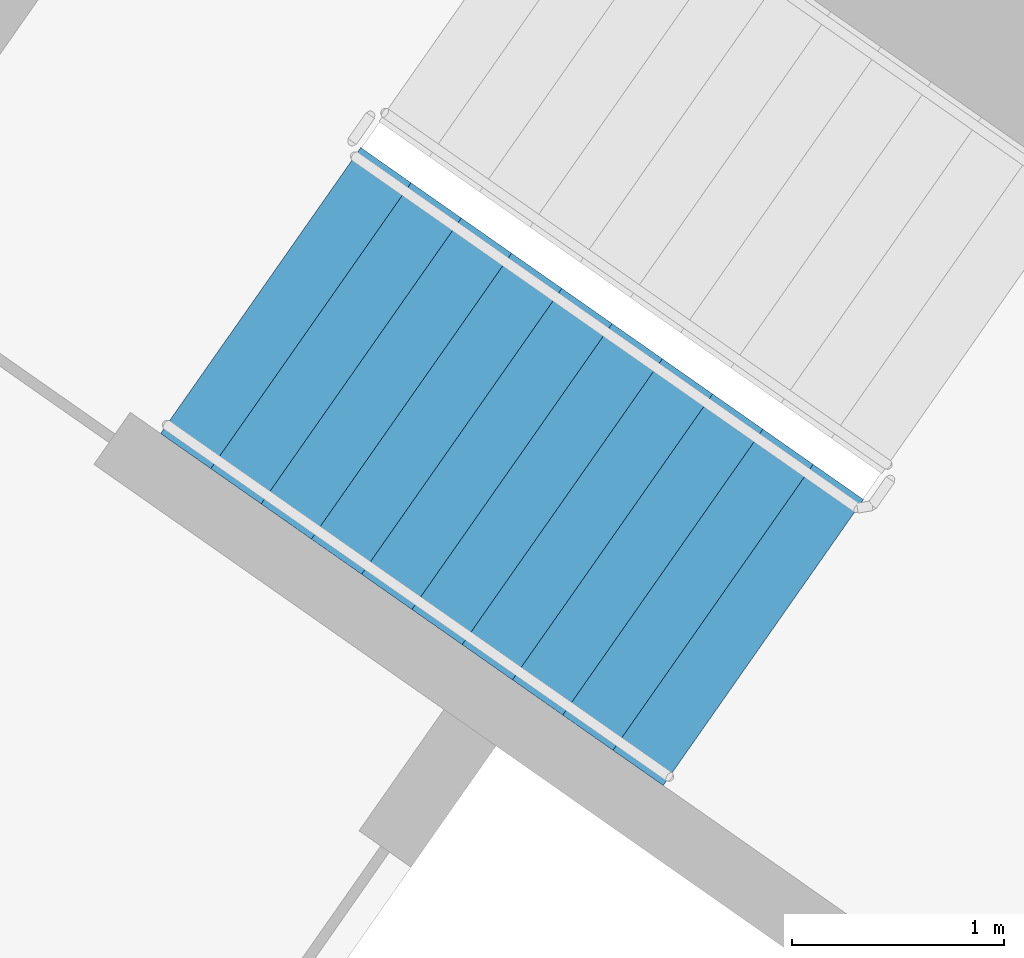
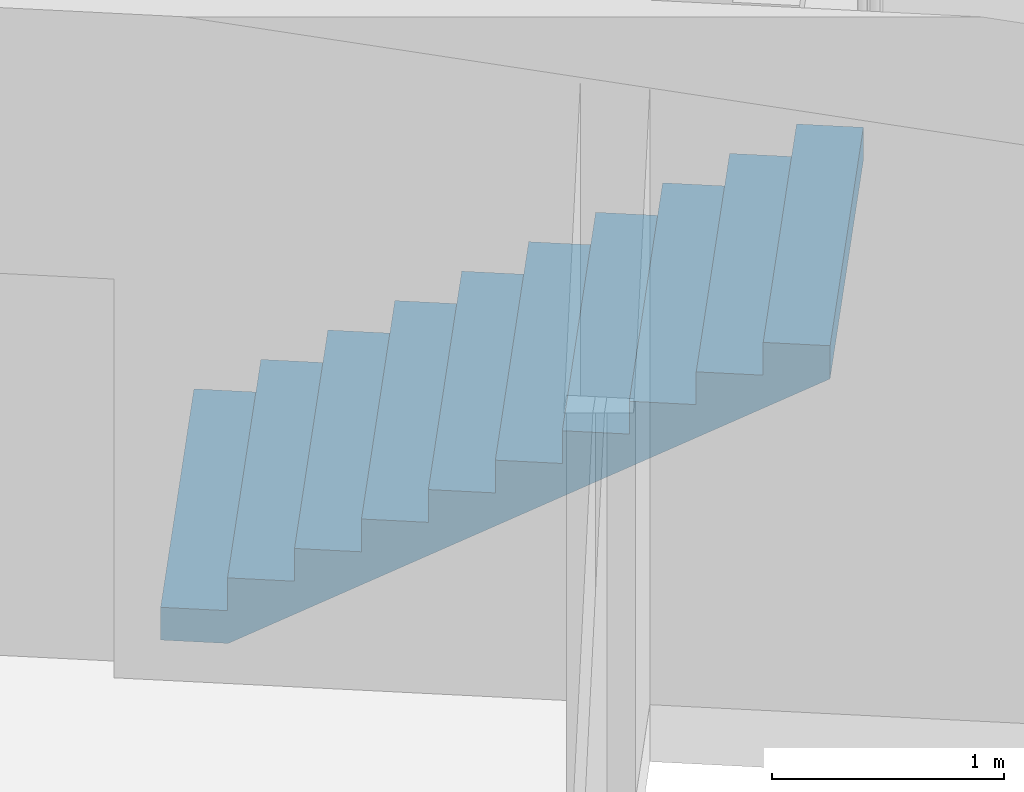
# One storey, part 11 of 27: 1 stair flight, 1 element without a shape of its own.
"""IFC4 building model written with IfcOpenShell, lengths in metres."""

from ifc_helpers import new_model, si_unit, direction, frame, origin, place, context, subcontext, project, spatial, faceted_brep, material, type_object, element, aggregate, save


model = new_model("IFC4")

# Units and contexts
model_context = context("Model", 3, precision=1e-05, world=origin(), true_north=direction((0.0, 1.0)))
body_context = subcontext(model_context, "Body", "Model", "MODEL_VIEW")
ifc_project = project(units=[si_unit("LENGTHUNIT", "METRE"), si_unit("AREAUNIT", "SQUARE_METRE"), si_unit("VOLUMEUNIT", "CUBIC_METRE"), si_unit("PLANEANGLEUNIT", "RADIAN"), si_unit("MASSUNIT", "GRAM", prefix="KILO")], contexts=[model_context])

# Site, building, storey
site_placement = place(None, origin())
site = spatial("IfcSite", under=ifc_project, at=site_placement, CompositionType="ELEMENT")
building_placement = place(site_placement, origin())
building = spatial("IfcBuilding", under=site, at=building_placement, Name="Qamariyya Broadcast Tower", CompositionType="ELEMENT")
storey_placement = place(building_placement, frame((0.0, 0.0, 164.5)))
storey = spatial("IfcBuildingStorey", under=building, at=storey_placement, Name="L38", CompositionType="ELEMENT", Elevation=164.5)

# Stair, stair flight
ifc_material = material(Name="Concrete C50/60", Category="concrete")
stair_type = type_object("IfcStairType", Name="Exit stair 22 risers of 173 mm", PredefinedType="HALF_TURN_STAIR", material=ifc_material)
stair_placement = place(storey_placement, origin())
stair = element("IfcStair", 1, at=stair_placement, inside=storey, type_object=stair_type, Name="L38 Stair W2", PredefinedType="HALF_TURN_STAIR")
stair_flight_type = type_object("IfcStairFlightType", Name="Exit stair flight 11 risers of 173 mm", PredefinedType="STRAIGHT", material=ifc_material)
stair_flight_placement = place(storey_placement, frame((-41.59130859375, -49.15966796875, 0.0), z_axis=(0.0, 0.0, 1.0), x_axis=(0.819152044289, -0.573576436351, 0.0)))
stair_flight = element("IfcStairFlight", 2, at=stair_flight_placement, type_object=stair_flight_type, Name="ST-W2 flight 1", NumberOfRisers=11, NumberOfTreads=10, PredefinedType="STRAIGHT", RiserHeight=0.172727273, TreadLength=0.29, context=body_context, shape_type="Brep", body=[
    faceted_brep([(0.0, 0.824951171875, 0.0), (0.0, 0.824951171875, 0.172607421875), (0.2900390625, 0.824951171875, 0.172607421875), (0.2900390625, 0.824951171875, 0.345458984375), (0.580078125, 0.824951171875, 0.345458984375), (0.580078125, 0.824951171875, 0.51806640625), (0.8701171875, 0.824951171875, 0.51806640625), (0.8701171875, 0.824951171875, 0.69091796875), (1.159912109375, 0.824951171875, 0.69091796875), (1.159912109375, 0.824951171875, 0.863525390625), (1.449951171875, 0.824951171875, 0.863525390625), (1.449951171875, 0.824951171875, 1.036376953125), (1.739990234375, 0.824951171875, 1.036376953125), (1.739990234375, 0.824951171875, 1.208984375), (2.030029296875, 0.824951171875, 1.208984375), (2.030029296875, 0.824951171875, 1.3818359375), (2.320068359375, 0.824951171875, 1.3818359375), (2.320068359375, 0.824951171875, 1.554443359375), (2.610107421875, 0.824951171875, 1.554443359375), (2.610107421875, 0.824951171875, 1.727294921875), (2.89990234375, 0.824951171875, 1.727294921875), (2.89990234375, 0.824951171875, 1.552734375), (0.29296875, 0.824951171875, 0.0), (0.29296875, -0.824951171875, 0.0), (2.89990234375, -0.824951171875, 1.552734375), (2.89990234375, -0.824951171875, 1.727294921875), (2.610107421875, -0.824951171875, 1.727294921875), (2.610107421875, -0.824951171875, 1.554443359375), (2.320068359375, -0.824951171875, 1.554443359375), (2.320068359375, -0.824951171875, 1.3818359375), (2.030029296875, -0.824951171875, 1.3818359375), (2.030029296875, -0.824951171875, 1.208984375), (1.739990234375, -0.824951171875, 1.208984375), (1.739990234375, -0.824951171875, 1.036376953125), (1.449951171875, -0.824951171875, 1.036376953125), (1.449951171875, -0.824951171875, 0.863525390625), (1.159912109375, -0.824951171875, 0.863525390625), (1.159912109375, -0.824951171875, 0.69091796875), (0.8701171875, -0.824951171875, 0.69091796875), (0.8701171875, -0.824951171875, 0.51806640625), (0.580078125, -0.824951171875, 0.51806640625), (0.580078125, -0.824951171875, 0.345458984375), (0.2900390625, -0.824951171875, 0.345458984375), (0.2900390625, -0.824951171875, 0.172607421875), (0.0, -0.824951171875, 0.172607421875), (0.0, -0.824951171875, 0.0), (0.0, 0.10009765625, 0.0), (0.0, 0.086669921875, 0.0), (0.0, 0.0732421875, 0.0), (0.0, 0.06005859375, 0.0), (0.0, 0.046630859375, 0.0), (0.0, 0.033447265625, 0.0), (0.0, 0.02001953125, 0.0), (0.0, 0.006591796875, 0.0), (0.0, -0.006591796875, 0.0), (0.0, -0.02001953125, 0.0), (0.0, -0.033447265625, 0.0), (0.0, -0.046630859375, 0.0), (0.0, -0.06005859375, 0.0), (0.0, -0.0732421875, 0.0), (0.0, -0.086669921875, 0.0), (0.0, -0.10009765625, 0.0), (0.0, -0.10009765625, 0.172607421875), (0.0, -0.086669921875, 0.172607421875), (0.0, -0.0732421875, 0.172607421875), (0.0, -0.06005859375, 0.172607421875), (0.0, -0.046630859375, 0.172607421875), (0.0, -0.033447265625, 0.172607421875), (0.0, -0.02001953125, 0.172607421875), (0.0, -0.006591796875, 0.172607421875), (0.0, 0.006591796875, 0.172607421875), (0.0, 0.02001953125, 0.172607421875), (0.0, 0.033447265625, 0.172607421875), (0.0, 0.046630859375, 0.172607421875), (0.0, 0.06005859375, 0.172607421875), (0.0, 0.0732421875, 0.172607421875), (0.0, 0.086669921875, 0.172607421875), (0.0, 0.10009765625, 0.172607421875), (0.2900390625, -0.10009765625, 0.172607421875), (0.2900390625, -0.086669921875, 0.172607421875), (0.2900390625, -0.0732421875, 0.172607421875), (0.2900390625, -0.06005859375, 0.172607421875), (0.2900390625, -0.046630859375, 0.172607421875), (0.2900390625, -0.033447265625, 0.172607421875), (0.2900390625, -0.02001953125, 0.172607421875), (0.2900390625, -0.006591796875, 0.172607421875), (0.2900390625, 0.006591796875, 0.172607421875), (0.2900390625, 0.02001953125, 0.172607421875), (0.2900390625, 0.033447265625, 0.172607421875), (0.2900390625, 0.046630859375, 0.172607421875), (0.2900390625, 0.06005859375, 0.172607421875), (0.2900390625, 0.0732421875, 0.172607421875), (0.2900390625, 0.086669921875, 0.172607421875), (0.2900390625, 0.10009765625, 0.172607421875), (0.2900390625, -0.10009765625, 0.345458984375), (0.2900390625, -0.086669921875, 0.345458984375), (0.2900390625, -0.0732421875, 0.345458984375), (0.2900390625, -0.06005859375, 0.345458984375), (0.2900390625, -0.046630859375, 0.345458984375), (0.2900390625, -0.033447265625, 0.345458984375), (0.2900390625, -0.02001953125, 0.345458984375), (0.2900390625, -0.006591796875, 0.345458984375), (0.2900390625, 0.006591796875, 0.345458984375), (0.2900390625, 0.02001953125, 0.345458984375), (0.2900390625, 0.033447265625, 0.345458984375), (0.2900390625, 0.046630859375, 0.345458984375), (0.2900390625, 0.06005859375, 0.345458984375), (0.2900390625, 0.0732421875, 0.345458984375), (0.2900390625, 0.086669921875, 0.345458984375), (0.2900390625, 0.10009765625, 0.345458984375), (0.580078125, -0.10009765625, 0.345458984375), (0.580078125, -0.086669921875, 0.345458984375), (0.580078125, -0.0732421875, 0.345458984375), (0.580078125, -0.06005859375, 0.345458984375), (0.580078125, -0.046630859375, 0.345458984375), (0.580078125, -0.033447265625, 0.345458984375), (0.580078125, -0.02001953125, 0.345458984375), (0.580078125, -0.006591796875, 0.345458984375), (0.580078125, 0.006591796875, 0.345458984375), (0.580078125, 0.02001953125, 0.345458984375), (0.580078125, 0.033447265625, 0.345458984375), (0.580078125, 0.046630859375, 0.345458984375), (0.580078125, 0.06005859375, 0.345458984375), (0.580078125, 0.0732421875, 0.345458984375), (0.580078125, 0.086669921875, 0.345458984375), (0.580078125, 0.10009765625, 0.345458984375), (0.580078125, -0.10009765625, 0.51806640625), (0.580078125, -0.086669921875, 0.51806640625), (0.580078125, -0.0732421875, 0.51806640625), (0.580078125, -0.06005859375, 0.51806640625), (0.580078125, -0.046630859375, 0.51806640625), (0.580078125, -0.033447265625, 0.51806640625), (0.580078125, -0.02001953125, 0.51806640625), (0.580078125, -0.006591796875, 0.51806640625), (0.580078125, 0.006591796875, 0.51806640625), (0.580078125, 0.02001953125, 0.51806640625), (0.580078125, 0.033447265625, 0.51806640625), (0.580078125, 0.046630859375, 0.51806640625), (0.580078125, 0.06005859375, 0.51806640625), (0.580078125, 0.0732421875, 0.51806640625), (0.580078125, 0.086669921875, 0.51806640625), (0.580078125, 0.10009765625, 0.51806640625), (0.8701171875, -0.10009765625, 0.51806640625), (0.8701171875, -0.086669921875, 0.51806640625), (0.8701171875, -0.0732421875, 0.51806640625), (0.8701171875, -0.06005859375, 0.51806640625), (0.8701171875, -0.046630859375, 0.51806640625), (0.8701171875, -0.033447265625, 0.51806640625), (0.8701171875, -0.02001953125, 0.51806640625), (0.8701171875, -0.006591796875, 0.51806640625), (0.8701171875, 0.006591796875, 0.51806640625), (0.8701171875, 0.02001953125, 0.51806640625), (0.8701171875, 0.033447265625, 0.51806640625), (0.8701171875, 0.046630859375, 0.51806640625), (0.8701171875, 0.06005859375, 0.51806640625), (0.8701171875, 0.0732421875, 0.51806640625), (0.8701171875, 0.086669921875, 0.51806640625), (0.8701171875, 0.10009765625, 0.51806640625), (0.8701171875, -0.10009765625, 0.69091796875), (0.8701171875, -0.086669921875, 0.69091796875), (0.8701171875, -0.0732421875, 0.69091796875), (0.8701171875, -0.06005859375, 0.69091796875), (0.8701171875, -0.046630859375, 0.69091796875), (0.8701171875, -0.033447265625, 0.69091796875), (0.8701171875, -0.02001953125, 0.69091796875), (0.8701171875, -0.006591796875, 0.69091796875), (0.8701171875, 0.006591796875, 0.69091796875), (0.8701171875, 0.02001953125, 0.69091796875), (0.8701171875, 0.033447265625, 0.69091796875), (0.8701171875, 0.046630859375, 0.69091796875), (0.8701171875, 0.06005859375, 0.69091796875), (0.8701171875, 0.0732421875, 0.69091796875), (0.8701171875, 0.086669921875, 0.69091796875), (0.8701171875, 0.10009765625, 0.69091796875), (1.159912109375, -0.10009765625, 0.69091796875), (1.159912109375, -0.086669921875, 0.69091796875), (1.159912109375, -0.0732421875, 0.69091796875), (1.159912109375, -0.06005859375, 0.69091796875), (1.159912109375, -0.046630859375, 0.69091796875), (1.159912109375, -0.033447265625, 0.69091796875), (1.159912109375, -0.02001953125, 0.69091796875), (1.159912109375, -0.006591796875, 0.69091796875), (1.159912109375, 0.006591796875, 0.69091796875), (1.159912109375, 0.02001953125, 0.69091796875), (1.159912109375, 0.033447265625, 0.69091796875), (1.159912109375, 0.046630859375, 0.69091796875), (1.159912109375, 0.06005859375, 0.69091796875), (1.159912109375, 0.0732421875, 0.69091796875), (1.159912109375, 0.086669921875, 0.69091796875), (1.159912109375, 0.10009765625, 0.69091796875), (1.159912109375, -0.10009765625, 0.863525390625), (1.159912109375, -0.086669921875, 0.863525390625), (1.159912109375, -0.0732421875, 0.863525390625), (1.159912109375, -0.06005859375, 0.863525390625), (1.159912109375, -0.046630859375, 0.863525390625), (1.159912109375, -0.033447265625, 0.863525390625), (1.159912109375, -0.02001953125, 0.863525390625), (1.159912109375, -0.006591796875, 0.863525390625), (1.159912109375, 0.006591796875, 0.863525390625), (1.159912109375, 0.02001953125, 0.863525390625), (1.159912109375, 0.033447265625, 0.863525390625), (1.159912109375, 0.046630859375, 0.863525390625), (1.159912109375, 0.06005859375, 0.863525390625), (1.159912109375, 0.0732421875, 0.863525390625), (1.159912109375, 0.086669921875, 0.863525390625), (1.159912109375, 0.10009765625, 0.863525390625), (1.449951171875, -0.10009765625, 0.863525390625), (1.449951171875, -0.086669921875, 0.863525390625), (1.449951171875, -0.0732421875, 0.863525390625), (1.449951171875, -0.06005859375, 0.863525390625), (1.449951171875, -0.046630859375, 0.863525390625), (1.449951171875, -0.033447265625, 0.863525390625), (1.449951171875, -0.02001953125, 0.863525390625), (1.449951171875, -0.006591796875, 0.863525390625), (1.449951171875, 0.006591796875, 0.863525390625), (1.449951171875, 0.02001953125, 0.863525390625), (1.449951171875, 0.033447265625, 0.863525390625), (1.449951171875, 0.046630859375, 0.863525390625), (1.449951171875, 0.06005859375, 0.863525390625), (1.449951171875, 0.0732421875, 0.863525390625), (1.449951171875, 0.086669921875, 0.863525390625), (1.449951171875, 0.10009765625, 0.863525390625), (1.449951171875, -0.10009765625, 1.036376953125), (1.449951171875, -0.086669921875, 1.036376953125), (1.449951171875, -0.0732421875, 1.036376953125), (1.449951171875, -0.06005859375, 1.036376953125), (1.449951171875, -0.046630859375, 1.036376953125), (1.449951171875, -0.033447265625, 1.036376953125), (1.449951171875, -0.02001953125, 1.036376953125), (1.449951171875, -0.006591796875, 1.036376953125), (1.449951171875, 0.006591796875, 1.036376953125), (1.449951171875, 0.02001953125, 1.036376953125), (1.449951171875, 0.033447265625, 1.036376953125), (1.449951171875, 0.046630859375, 1.036376953125), (1.449951171875, 0.06005859375, 1.036376953125), (1.449951171875, 0.0732421875, 1.036376953125), (1.449951171875, 0.086669921875, 1.036376953125), (1.449951171875, 0.10009765625, 1.036376953125), (1.739990234375, -0.10009765625, 1.036376953125), (1.739990234375, -0.086669921875, 1.036376953125), (1.739990234375, -0.0732421875, 1.036376953125), (1.739990234375, -0.06005859375, 1.036376953125), (1.739990234375, -0.046630859375, 1.036376953125), (1.739990234375, -0.033447265625, 1.036376953125), (1.739990234375, -0.02001953125, 1.036376953125), (1.739990234375, -0.006591796875, 1.036376953125), (1.739990234375, 0.006591796875, 1.036376953125), (1.739990234375, 0.02001953125, 1.036376953125), (1.739990234375, 0.033447265625, 1.036376953125), (1.739990234375, 0.046630859375, 1.036376953125), (1.739990234375, 0.06005859375, 1.036376953125), (1.739990234375, 0.0732421875, 1.036376953125), (1.739990234375, 0.086669921875, 1.036376953125), (1.739990234375, 0.10009765625, 1.036376953125), (1.739990234375, -0.10009765625, 1.208984375), (1.739990234375, -0.086669921875, 1.208984375), (1.739990234375, -0.0732421875, 1.208984375), (1.739990234375, -0.06005859375, 1.208984375), (1.739990234375, -0.046630859375, 1.208984375), (1.739990234375, -0.033447265625, 1.208984375), (1.739990234375, -0.02001953125, 1.208984375), (1.739990234375, -0.006591796875, 1.208984375), (1.739990234375, 0.006591796875, 1.208984375), (1.739990234375, 0.02001953125, 1.208984375), (1.739990234375, 0.033447265625, 1.208984375), (1.739990234375, 0.046630859375, 1.208984375), (1.739990234375, 0.06005859375, 1.208984375), (1.739990234375, 0.0732421875, 1.208984375), (1.739990234375, 0.086669921875, 1.208984375), (1.739990234375, 0.10009765625, 1.208984375), (2.030029296875, -0.10009765625, 1.208984375), (2.030029296875, -0.086669921875, 1.208984375), (2.030029296875, -0.0732421875, 1.208984375), (2.030029296875, -0.06005859375, 1.208984375), (2.030029296875, -0.046630859375, 1.208984375), (2.030029296875, -0.033447265625, 1.208984375), (2.030029296875, -0.02001953125, 1.208984375), (2.030029296875, -0.006591796875, 1.208984375), (2.030029296875, 0.006591796875, 1.208984375), (2.030029296875, 0.02001953125, 1.208984375), (2.030029296875, 0.033447265625, 1.208984375), (2.030029296875, 0.046630859375, 1.208984375), (2.030029296875, 0.06005859375, 1.208984375), (2.030029296875, 0.0732421875, 1.208984375), (2.030029296875, 0.086669921875, 1.208984375), (2.030029296875, 0.10009765625, 1.208984375), (2.030029296875, -0.10009765625, 1.3818359375), (2.030029296875, -0.086669921875, 1.3818359375), (2.030029296875, -0.0732421875, 1.3818359375), (2.030029296875, -0.06005859375, 1.3818359375), (2.030029296875, -0.046630859375, 1.3818359375), (2.030029296875, -0.033447265625, 1.3818359375), (2.030029296875, -0.02001953125, 1.3818359375), (2.030029296875, -0.006591796875, 1.3818359375), (2.030029296875, 0.006591796875, 1.3818359375), (2.030029296875, 0.02001953125, 1.3818359375), (2.030029296875, 0.033447265625, 1.3818359375), (2.030029296875, 0.046630859375, 1.3818359375), (2.030029296875, 0.06005859375, 1.3818359375), (2.030029296875, 0.0732421875, 1.3818359375), (2.030029296875, 0.086669921875, 1.3818359375), (2.030029296875, 0.10009765625, 1.3818359375), (2.320068359375, -0.10009765625, 1.3818359375), (2.320068359375, -0.086669921875, 1.3818359375), (2.320068359375, -0.0732421875, 1.3818359375), (2.320068359375, -0.06005859375, 1.3818359375), (2.320068359375, -0.046630859375, 1.3818359375), (2.320068359375, -0.033447265625, 1.3818359375), (2.320068359375, -0.02001953125, 1.3818359375), (2.320068359375, -0.006591796875, 1.3818359375), (2.320068359375, 0.006591796875, 1.3818359375), (2.320068359375, 0.02001953125, 1.3818359375), (2.320068359375, 0.033447265625, 1.3818359375), (2.320068359375, 0.046630859375, 1.3818359375), (2.320068359375, 0.06005859375, 1.3818359375), (2.320068359375, 0.0732421875, 1.3818359375), (2.320068359375, 0.086669921875, 1.3818359375), (2.320068359375, 0.10009765625, 1.3818359375), (2.320068359375, -0.10009765625, 1.554443359375), (2.320068359375, -0.086669921875, 1.554443359375), (2.320068359375, -0.0732421875, 1.554443359375), (2.320068359375, -0.06005859375, 1.554443359375), (2.320068359375, -0.046630859375, 1.554443359375), (2.320068359375, -0.033447265625, 1.554443359375), (2.320068359375, -0.02001953125, 1.554443359375), (2.320068359375, -0.006591796875, 1.554443359375), (2.320068359375, 0.006591796875, 1.554443359375), (2.320068359375, 0.02001953125, 1.554443359375), (2.320068359375, 0.033447265625, 1.554443359375), (2.320068359375, 0.046630859375, 1.554443359375), (2.320068359375, 0.06005859375, 1.554443359375), (2.320068359375, 0.0732421875, 1.554443359375), (2.320068359375, 0.086669921875, 1.554443359375), (2.320068359375, 0.10009765625, 1.554443359375), (2.610107421875, -0.10009765625, 1.554443359375), (2.610107421875, -0.086669921875, 1.554443359375), (2.610107421875, -0.0732421875, 1.554443359375), (2.610107421875, -0.06005859375, 1.554443359375), (2.610107421875, -0.046630859375, 1.554443359375), (2.610107421875, -0.033447265625, 1.554443359375), (2.610107421875, -0.02001953125, 1.554443359375), (2.610107421875, -0.006591796875, 1.554443359375), (2.610107421875, 0.006591796875, 1.554443359375), (2.610107421875, 0.02001953125, 1.554443359375), (2.610107421875, 0.033447265625, 1.554443359375), (2.610107421875, 0.046630859375, 1.554443359375), (2.610107421875, 0.06005859375, 1.554443359375), (2.610107421875, 0.0732421875, 1.554443359375), (2.610107421875, 0.086669921875, 1.554443359375), (2.610107421875, 0.10009765625, 1.554443359375), (2.610107421875, -0.10009765625, 1.727294921875), (2.610107421875, -0.086669921875, 1.727294921875), (2.610107421875, -0.0732421875, 1.727294921875), (2.610107421875, -0.06005859375, 1.727294921875), (2.610107421875, -0.046630859375, 1.727294921875), (2.610107421875, -0.033447265625, 1.727294921875), (2.610107421875, -0.02001953125, 1.727294921875), (2.610107421875, -0.006591796875, 1.727294921875), (2.610107421875, 0.006591796875, 1.727294921875), (2.610107421875, 0.02001953125, 1.727294921875), (2.610107421875, 0.033447265625, 1.727294921875), (2.610107421875, 0.046630859375, 1.727294921875), (2.610107421875, 0.06005859375, 1.727294921875), (2.610107421875, 0.0732421875, 1.727294921875), (2.610107421875, 0.086669921875, 1.727294921875), (2.610107421875, 0.10009765625, 1.727294921875), (2.89990234375, -0.10009765625, 1.727294921875), (2.89990234375, -0.086669921875, 1.727294921875), (2.89990234375, -0.0732421875, 1.727294921875), (2.89990234375, -0.06005859375, 1.727294921875), (2.89990234375, -0.046630859375, 1.727294921875), (2.89990234375, -0.033447265625, 1.727294921875), (2.89990234375, -0.02001953125, 1.727294921875), (2.89990234375, -0.006591796875, 1.727294921875), (2.89990234375, 0.006591796875, 1.727294921875), (2.89990234375, 0.02001953125, 1.727294921875), (2.89990234375, 0.033447265625, 1.727294921875), (2.89990234375, 0.046630859375, 1.727294921875), (2.89990234375, 0.06005859375, 1.727294921875), (2.89990234375, 0.0732421875, 1.727294921875), (2.89990234375, 0.086669921875, 1.727294921875), (2.89990234375, 0.10009765625, 1.727294921875), (2.89990234375, -0.10009765625, 1.552734375), (2.89990234375, -0.086669921875, 1.552734375), (2.89990234375, -0.0732421875, 1.552734375), (2.89990234375, -0.06005859375, 1.552734375), (2.89990234375, -0.046630859375, 1.552734375), (2.89990234375, -0.033447265625, 1.552734375), (2.89990234375, -0.02001953125, 1.552734375), (2.89990234375, -0.006591796875, 1.552734375), (2.89990234375, 0.006591796875, 1.552734375), (2.89990234375, 0.02001953125, 1.552734375), (2.89990234375, 0.033447265625, 1.552734375), (2.89990234375, 0.046630859375, 1.552734375), (2.89990234375, 0.06005859375, 1.552734375), (2.89990234375, 0.0732421875, 1.552734375), (2.89990234375, 0.086669921875, 1.552734375), (2.89990234375, 0.10009765625, 1.552734375), (0.29296875, -0.10009765625, 0.0), (0.29296875, -0.086669921875, 0.0), (0.29296875, -0.0732421875, 0.0), (0.29296875, -0.06005859375, 0.0), (0.29296875, -0.046630859375, 0.0), (0.29296875, -0.033447265625, 0.0), (0.29296875, -0.02001953125, 0.0), (0.29296875, -0.006591796875, 0.0), (0.29296875, 0.006591796875, 0.0), (0.29296875, 0.02001953125, 0.0), (0.29296875, 0.033447265625, 0.0), (0.29296875, 0.046630859375, 0.0), (0.29296875, 0.06005859375, 0.0), (0.29296875, 0.0732421875, 0.0), (0.29296875, 0.086669921875, 0.0), (0.29296875, 0.10009765625, 0.0)], [[[0, 1, 2, 3, 4, 5, 6, 7, 8, 9, 10, 11, 12, 13, 14, 15, 16, 17, 18, 19, 20, 21, 22]], [[23, 24, 25, 26, 27, 28, 29, 30, 31, 32, 33, 34, 35, 36, 37, 38, 39, 40, 41, 42, 43, 44, 45]], [[0, 46, 47, 48, 49, 50, 51, 52, 53, 54, 55, 56, 57, 58, 59, 60, 61, 45, 44, 62, 63, 64, 65, 66, 67, 68, 69, 70, 71, 72, 73, 74, 75, 76, 77, 1]], [[1, 77, 76, 75, 74, 73, 72, 71, 70, 69, 68, 67, 66, 65, 64, 63, 62, 44, 43, 78, 79, 80, 81, 82, 83, 84, 85, 86, 87, 88, 89, 90, 91, 92, 93, 2]], [[2, 93, 92, 91, 90, 89, 88, 87, 86, 85, 84, 83, 82, 81, 80, 79, 78, 43, 42, 94, 95, 96, 97, 98, 99, 100, 101, 102, 103, 104, 105, 106, 107, 108, 109, 3]], [[3, 109, 108, 107, 106, 105, 104, 103, 102, 101, 100, 99, 98, 97, 96, 95, 94, 42, 41, 110, 111, 112, 113, 114, 115, 116, 117, 118, 119, 120, 121, 122, 123, 124, 125, 4]], [[4, 125, 124, 123, 122, 121, 120, 119, 118, 117, 116, 115, 114, 113, 112, 111, 110, 41, 40, 126, 127, 128, 129, 130, 131, 132, 133, 134, 135, 136, 137, 138, 139, 140, 141, 5]], [[5, 141, 140, 139, 138, 137, 136, 135, 134, 133, 132, 131, 130, 129, 128, 127, 126, 40, 39, 142, 143, 144, 145, 146, 147, 148, 149, 150, 151, 152, 153, 154, 155, 156, 157, 6]], [[6, 157, 156, 155, 154, 153, 152, 151, 150, 149, 148, 147, 146, 145, 144, 143, 142, 39, 38, 158, 159, 160, 161, 162, 163, 164, 165, 166, 167, 168, 169, 170, 171, 172, 173, 7]], [[7, 173, 172, 171, 170, 169, 168, 167, 166, 165, 164, 163, 162, 161, 160, 159, 158, 38, 37, 174, 175, 176, 177, 178, 179, 180, 181, 182, 183, 184, 185, 186, 187, 188, 189, 8]], [[8, 189, 188, 187, 186, 185, 184, 183, 182, 181, 180, 179, 178, 177, 176, 175, 174, 37, 36, 190, 191, 192, 193, 194, 195, 196, 197, 198, 199, 200, 201, 202, 203, 204, 205, 9]], [[9, 205, 204, 203, 202, 201, 200, 199, 198, 197, 196, 195, 194, 193, 192, 191, 190, 36, 35, 206, 207, 208, 209, 210, 211, 212, 213, 214, 215, 216, 217, 218, 219, 220, 221, 10]], [[10, 221, 220, 219, 218, 217, 216, 215, 214, 213, 212, 211, 210, 209, 208, 207, 206, 35, 34, 222, 223, 224, 225, 226, 227, 228, 229, 230, 231, 232, 233, 234, 235, 236, 237, 11]], [[11, 237, 236, 235, 234, 233, 232, 231, 230, 229, 228, 227, 226, 225, 224, 223, 222, 34, 33, 238, 239, 240, 241, 242, 243, 244, 245, 246, 247, 248, 249, 250, 251, 252, 253, 12]], [[12, 253, 252, 251, 250, 249, 248, 247, 246, 245, 244, 243, 242, 241, 240, 239, 238, 33, 32, 254, 255, 256, 257, 258, 259, 260, 261, 262, 263, 264, 265, 266, 267, 268, 269, 13]], [[13, 269, 268, 267, 266, 265, 264, 263, 262, 261, 260, 259, 258, 257, 256, 255, 254, 32, 31, 270, 271, 272, 273, 274, 275, 276, 277, 278, 279, 280, 281, 282, 283, 284, 285, 14]], [[14, 285, 284, 283, 282, 281, 280, 279, 278, 277, 276, 275, 274, 273, 272, 271, 270, 31, 30, 286, 287, 288, 289, 290, 291, 292, 293, 294, 295, 296, 297, 298, 299, 300, 301, 15]], [[15, 301, 300, 299, 298, 297, 296, 295, 294, 293, 292, 291, 290, 289, 288, 287, 286, 30, 29, 302, 303, 304, 305, 306, 307, 308, 309, 310, 311, 312, 313, 314, 315, 316, 317, 16]], [[16, 317, 316, 315, 314, 313, 312, 311, 310, 309, 308, 307, 306, 305, 304, 303, 302, 29, 28, 318, 319, 320, 321, 322, 323, 324, 325, 326, 327, 328, 329, 330, 331, 332, 333, 17]], [[17, 333, 332, 331, 330, 329, 328, 327, 326, 325, 324, 323, 322, 321, 320, 319, 318, 28, 27, 334, 335, 336, 337, 338, 339, 340, 341, 342, 343, 344, 345, 346, 347, 348, 349, 18]], [[18, 349, 348, 347, 346, 345, 344, 343, 342, 341, 340, 339, 338, 337, 336, 335, 334, 27, 26, 350, 351, 352, 353, 354, 355, 356, 357, 358, 359, 360, 361, 362, 363, 364, 365, 19]], [[19, 365, 364, 363, 362, 361, 360, 359, 358, 357, 356, 355, 354, 353, 352, 351, 350, 26, 25, 366, 367, 368, 369, 370, 371, 372, 373, 374, 375, 376, 377, 378, 379, 380, 381, 20]], [[20, 381, 380, 379, 378, 377, 376, 375, 374, 373, 372, 371, 370, 369, 368, 367, 366, 25, 24, 382, 383, 384, 385, 386, 387, 388, 389, 390, 391, 392, 393, 394, 395, 396, 397, 21]], [[21, 397, 396, 395, 394, 393, 392, 391, 390, 389, 388, 387, 386, 385, 384, 383, 382, 24, 23, 398, 399, 400, 401, 402, 403, 404, 405, 406, 407, 408, 409, 410, 411, 412, 413, 22]], [[22, 413, 412, 411, 410, 409, 408, 407, 406, 405, 404, 403, 402, 401, 400, 399, 398, 23, 45, 61, 60, 59, 58, 57, 56, 55, 54, 53, 52, 51, 50, 49, 48, 47, 46, 0]]]),
])
aggregate(stair, [stair_flight])

save(model, "model.ifc")
